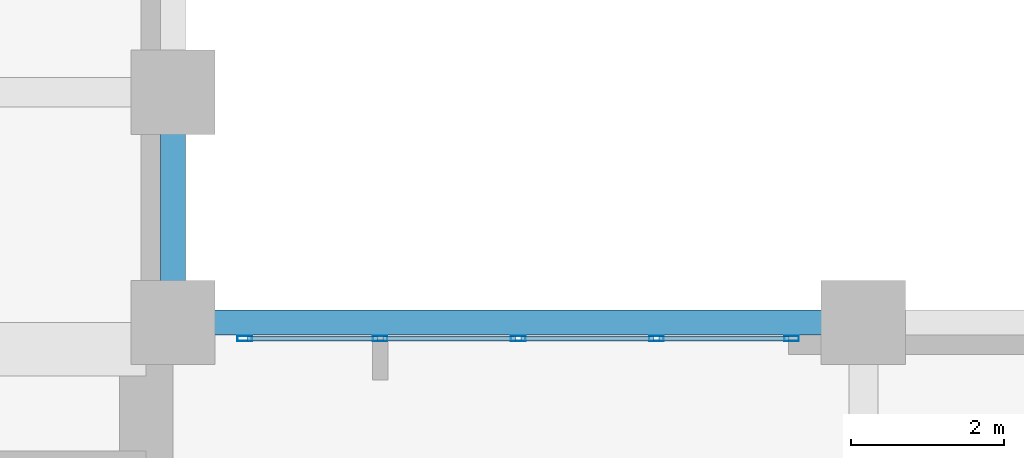
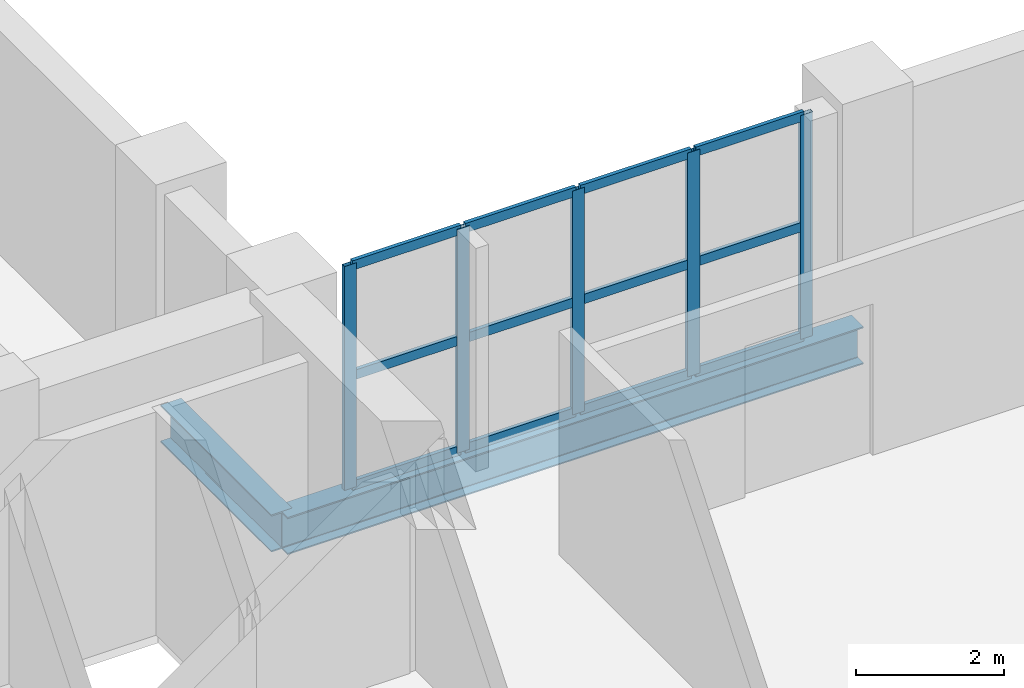
# One storey, part 2 of 8: 17 members, 2 beams, 1 element without a shape of its own.
"""IFC4 building model written with IfcOpenShell, lengths in metres."""

from ifc_helpers import new_model, si_unit, direction, frame, origin, origin_2d, place, context, subcontext, project, spatial, hollow_rectangle, i_section, extrude, material, layer, layer_set, material_profile, profile_set, type_object, element, aggregate, save


model = new_model("IFC4")

# Units and contexts
model_context = context("Model", 3, precision=1e-05, world=origin(), true_north=direction((0.0, 1.0)))
body_context = subcontext(model_context, "Body", "Model", "MODEL_VIEW")
ifc_project = project(units=[si_unit("LENGTHUNIT", "METRE"), si_unit("AREAUNIT", "SQUARE_METRE"), si_unit("VOLUMEUNIT", "CUBIC_METRE"), si_unit("PLANEANGLEUNIT", "RADIAN"), si_unit("MASSUNIT", "GRAM", prefix="KILO")], contexts=[model_context])

# Site, building, storey
site_placement = place(None, origin())
site = spatial("IfcSite", under=ifc_project, at=site_placement, CompositionType="ELEMENT")
building_placement = place(site_placement, origin())
building = spatial("IfcBuilding", under=site, at=building_placement, Name="Mawjdan Bourse Tower", CompositionType="ELEMENT")
storey_placement = place(building_placement, frame((0.0, 0.0, 101.10009765625)))
storey = spatial("IfcBuildingStorey", under=building, at=storey_placement, Name="L23", CompositionType="ELEMENT", Elevation=101.10009765625)

# Curtain wall, members
ifc_material_1 = material(Name="Thermally Broken Aluminium and Solar Glass", Category="aluminium")
ifc_layer = layer(ifc_material_1, 0.219970703125)
ifc_layer_set = layer_set([ifc_layer], Name="Thermally Broken Aluminium and Solar Glass")
curtain_wall_type = type_object("IfcCurtainWallType", Name="CW-ATR", PredefinedType="USERDEFINED", material=ifc_layer_set)
curtain_wall_placement = place(storey_placement, origin())
curtain_wall = element("IfcCurtainWall", 1, at=curtain_wall_placement, inside=storey, type_object=curtain_wall_type, Name="L23 Northeast Atrium Court Curtain Wall", ObjectType="ATRIUM GLAZED CURTAIN WALL", PredefinedType="USERDEFINED")
ifc_material_2 = material(Name="Thermally Broken Anodised Aluminium", Category="aluminium")
ifc_material_profile_1 = material_profile(ifc_material_2, hollow_rectangle(XDim=0.070068359375, YDim=0.18994140625, WallThickness=0.00439453125, at=origin_2d()), Name="ALU-MUL-190X70")
ifc_profile_set_1 = profile_set([ifc_material_profile_1], Name="Thermally Broken Anodised Aluminium")
member_type_1 = type_object("IfcMemberType", Name="MUL-ALU-MUL-190X70", PredefinedType="MULLION", material=ifc_profile_set_1)
member_1_placement = place(storey_placement, frame((32.06494140625, 20.7900390625, 0.0), z_axis=(0.0, 0.0, 1.0), x_axis=(0.0, -1.0, 0.0)))
member_1 = element("IfcMember", 2, at=member_1_placement, type_object=member_type_1, Name="CW-ATR-L23-ATR-NE mullion 1", PredefinedType="MULLION", context=body_context, shape_type="SweptSolid", body=[
    extrude(hollow_rectangle(XDim=0.070068359375, YDim=0.18994140625, WallThickness=0.00439453125, at=origin_2d()), origin(), (0.0, 0.0, 1.0), 3.699951171875),
])
member_2_placement = place(storey_placement, frame((30.300048828125, 20.7900390625, 0.0), z_axis=(0.0, 0.0, 1.0), x_axis=(0.0, -1.0, 0.0)))
member_2 = element("IfcMember", 3, at=member_2_placement, type_object=member_type_1, Name="CW-ATR-L23-ATR-NE mullion 2", PredefinedType="MULLION", context=body_context, shape_type="SweptSolid", body=[
    extrude(hollow_rectangle(XDim=0.070068359375, YDim=0.18994140625, WallThickness=0.00439453125, at=origin_2d()), origin(), (0.0, 0.0, 1.0), 3.699951171875),
])
member_3_placement = place(storey_placement, frame((28.5, 20.7900390625, 0.0), z_axis=(0.0, 0.0, 1.0), x_axis=(0.0, -1.0, 0.0)))
member_3 = element("IfcMember", 4, at=member_3_placement, type_object=member_type_1, Name="CW-ATR-L23-ATR-NE mullion 3", PredefinedType="MULLION", context=body_context, shape_type="SweptSolid", body=[
    extrude(hollow_rectangle(XDim=0.070068359375, YDim=0.18994140625, WallThickness=0.00439453125, at=origin_2d()), origin(), (0.0, 0.0, 1.0), 3.699951171875),
])
member_4_placement = place(storey_placement, frame((26.699951171875, 20.7900390625, 0.0), z_axis=(0.0, 0.0, 1.0), x_axis=(0.0, -1.0, 0.0)))
member_4 = element("IfcMember", 5, at=member_4_placement, type_object=member_type_1, Name="CW-ATR-L23-ATR-NE mullion 4", PredefinedType="MULLION", context=body_context, shape_type="SweptSolid", body=[
    extrude(hollow_rectangle(XDim=0.070068359375, YDim=0.18994140625, WallThickness=0.00439453125, at=origin_2d()), origin(), (0.0, 0.0, 1.0), 3.699951171875),
])
member_5_placement = place(storey_placement, frame((24.93505859375, 20.7900390625, 0.0), z_axis=(0.0, 0.0, 1.0), x_axis=(0.0, -1.0, 0.0)))
member_5 = element("IfcMember", 6, at=member_5_placement, type_object=member_type_1, Name="CW-ATR-L23-ATR-NE mullion 5", PredefinedType="MULLION", context=body_context, shape_type="SweptSolid", body=[
    extrude(hollow_rectangle(XDim=0.070068359375, YDim=0.18994140625, WallThickness=0.00439453125, at=origin_2d()), origin(), (0.0, 0.0, 1.0), 3.699951171875),
])

# Beams
ifc_material_3 = material(Name="Structural Steel S355", Category="steel")
ifc_material_profile_2 = material_profile(ifc_material_3, i_section(OverallWidth=0.324951171875, OverallDepth=0.616943359375, WebThickness=0.013916015625, FlangeThickness=0.021484375, FilletRadius=0.017333984375, at=origin_2d()), Name="W24X117")
ifc_profile_set_2 = profile_set([ifc_material_profile_2], Name="Structural Steel S355")
beam_type = type_object("IfcBeamType", Name="SPN-W24X117", PredefinedType="SPANDREL", material=ifc_profile_set_2)
beam_1_placement = place(storey_placement, frame((24.0, 21.0, -0.508544921875), z_axis=(1.0, 0.0, 0.0), x_axis=(0.0, 1.0, 0.0)))
element("IfcBeam", 7, at=beam_1_placement, inside=storey, type_object=beam_type, Name="L23 Perimeter Masonry-Shelf Spandrel 016", PredefinedType="SPANDREL", context=body_context, shape_type="SweptSolid", body=[
    extrude(i_section(OverallWidth=0.324951171875, OverallDepth=0.616943359375, WebThickness=0.013916015625, FlangeThickness=0.021484375, FilletRadius=0.017333984375, at=origin_2d()), origin(), (0.0, 0.0, 1.0), 9.0),
])
beam_2_placement = place(storey_placement, frame((24.0, 21.0, -0.508544921875), z_axis=(0.0, 1.0, 0.0), x_axis=(-1.0, 0.0, 0.0)))
element("IfcBeam", 8, at=beam_2_placement, inside=storey, type_object=beam_type, Name="L23 North Wing Spandrel 073", PredefinedType="SPANDREL", context=body_context, shape_type="SweptSolid", body=[
    extrude(i_section(OverallWidth=0.324951171875, OverallDepth=0.616943359375, WebThickness=0.013916015625, FlangeThickness=0.021484375, FilletRadius=0.017333984375, at=origin_2d()), origin(), (0.0, 0.0, 1.0), 3.0),
])

# Member
ifc_material_profile_3 = material_profile(ifc_material_2, hollow_rectangle(XDim=0.06005859375, YDim=0.155029296875, WallThickness=0.00390625, at=origin_2d()), Name="ALU-TRN-155X60")
ifc_profile_set_3 = profile_set([ifc_material_profile_3], Name="Thermally Broken Anodised Aluminium")
member_type_2 = type_object("IfcMemberType", Name="TRN-ALU-TRN-155X60", PredefinedType="USERDEFINED", material=ifc_profile_set_3)
member_6_placement = place(storey_placement, frame((32.030029296875, 20.7900390625, 0.02978515625), z_axis=(-1.0, 0.0, 0.0), x_axis=(0.0, -1.0, 0.0)))
member_6 = element("IfcMember", 9, at=member_6_placement, type_object=member_type_2, Name="CW-ATR-L23-ATR-NE transom 1.1", ObjectType="TRANSOM", PredefinedType="USERDEFINED", context=body_context, shape_type="SweptSolid", body=[
    extrude(hollow_rectangle(XDim=0.06005859375, YDim=0.155029296875, WallThickness=0.00390625, at=origin_2d()), origin(), (0.0, 0.0, 1.0), 1.695068359375),
])

member_7_placement = place(storey_placement, frame((32.030029296875, 20.7900390625, 1.849853515625), z_axis=(-1.0, 0.0, 0.0), x_axis=(0.0, -1.0, 0.0)))
member_7 = element("IfcMember", 10, at=member_7_placement, type_object=member_type_2, Name="CW-ATR-L23-ATR-NE transom 1.2", ObjectType="TRANSOM", PredefinedType="USERDEFINED", context=body_context, shape_type="SweptSolid", body=[
    extrude(hollow_rectangle(XDim=0.06005859375, YDim=0.155029296875, WallThickness=0.00390625, at=origin_2d()), origin(), (0.0, 0.0, 1.0), 1.695068359375),
])

member_8_placement = place(storey_placement, frame((32.030029296875, 20.7900390625, 3.669921875), z_axis=(-1.0, 0.0, 0.0), x_axis=(0.0, -1.0, 0.0)))
member_8 = element("IfcMember", 11, at=member_8_placement, type_object=member_type_2, Name="CW-ATR-L23-ATR-NE transom 1.3", ObjectType="TRANSOM", PredefinedType="USERDEFINED", context=body_context, shape_type="SweptSolid", body=[
    extrude(hollow_rectangle(XDim=0.06005859375, YDim=0.155029296875, WallThickness=0.00390625, at=origin_2d()), origin(), (0.0, 0.0, 1.0), 1.695068359375),
])

member_9_placement = place(storey_placement, frame((30.264892578125, 20.7900390625, 0.02978515625), z_axis=(-1.0, 0.0, 0.0), x_axis=(0.0, -1.0, 0.0)))
member_9 = element("IfcMember", 12, at=member_9_placement, type_object=member_type_2, Name="CW-ATR-L23-ATR-NE transom 2.1", ObjectType="TRANSOM", PredefinedType="USERDEFINED", context=body_context, shape_type="SweptSolid", body=[
    extrude(hollow_rectangle(XDim=0.06005859375, YDim=0.155029296875, WallThickness=0.00390625, at=origin_2d()), origin(), (0.0, 0.0, 1.0), 1.72998046875),
])

member_10_placement = place(storey_placement, frame((30.264892578125, 20.7900390625, 1.849853515625), z_axis=(-1.0, 0.0, 0.0), x_axis=(0.0, -1.0, 0.0)))
member_10 = element("IfcMember", 13, at=member_10_placement, type_object=member_type_2, Name="CW-ATR-L23-ATR-NE transom 2.2", ObjectType="TRANSOM", PredefinedType="USERDEFINED", context=body_context, shape_type="SweptSolid", body=[
    extrude(hollow_rectangle(XDim=0.06005859375, YDim=0.155029296875, WallThickness=0.00390625, at=origin_2d()), origin(), (0.0, 0.0, 1.0), 1.72998046875),
])

member_11_placement = place(storey_placement, frame((30.264892578125, 20.7900390625, 3.669921875), z_axis=(-1.0, 0.0, 0.0), x_axis=(0.0, -1.0, 0.0)))
member_11 = element("IfcMember", 14, at=member_11_placement, type_object=member_type_2, Name="CW-ATR-L23-ATR-NE transom 2.3", ObjectType="TRANSOM", PredefinedType="USERDEFINED", context=body_context, shape_type="SweptSolid", body=[
    extrude(hollow_rectangle(XDim=0.06005859375, YDim=0.155029296875, WallThickness=0.00390625, at=origin_2d()), origin(), (0.0, 0.0, 1.0), 1.72998046875),
])

member_12_placement = place(storey_placement, frame((28.465087890625, 20.7900390625, 0.02978515625), z_axis=(-1.0, 0.0, 0.0), x_axis=(0.0, -1.0, 0.0)))
member_12 = element("IfcMember", 15, at=member_12_placement, type_object=member_type_2, Name="CW-ATR-L23-ATR-NE transom 3.1", ObjectType="TRANSOM", PredefinedType="USERDEFINED", context=body_context, shape_type="SweptSolid", body=[
    extrude(hollow_rectangle(XDim=0.06005859375, YDim=0.155029296875, WallThickness=0.00390625, at=origin_2d()), origin(), (0.0, 0.0, 1.0), 1.72998046875),
])

member_13_placement = place(storey_placement, frame((28.465087890625, 20.7900390625, 1.849853515625), z_axis=(-1.0, 0.0, 0.0), x_axis=(0.0, -1.0, 0.0)))
member_13 = element("IfcMember", 16, at=member_13_placement, type_object=member_type_2, Name="CW-ATR-L23-ATR-NE transom 3.2", ObjectType="TRANSOM", PredefinedType="USERDEFINED", context=body_context, shape_type="SweptSolid", body=[
    extrude(hollow_rectangle(XDim=0.06005859375, YDim=0.155029296875, WallThickness=0.00390625, at=origin_2d()), origin(), (0.0, 0.0, 1.0), 1.72998046875),
])

member_14_placement = place(storey_placement, frame((28.465087890625, 20.7900390625, 3.669921875), z_axis=(-1.0, 0.0, 0.0), x_axis=(0.0, -1.0, 0.0)))
member_14 = element("IfcMember", 17, at=member_14_placement, type_object=member_type_2, Name="CW-ATR-L23-ATR-NE transom 3.3", ObjectType="TRANSOM", PredefinedType="USERDEFINED", context=body_context, shape_type="SweptSolid", body=[
    extrude(hollow_rectangle(XDim=0.06005859375, YDim=0.155029296875, WallThickness=0.00390625, at=origin_2d()), origin(), (0.0, 0.0, 1.0), 1.72998046875),
])

member_15_placement = place(storey_placement, frame((26.6650390625, 20.7900390625, 0.02978515625), z_axis=(-1.0, 0.0, 0.0), x_axis=(0.0, -1.0, 0.0)))
member_15 = element("IfcMember", 18, at=member_15_placement, type_object=member_type_2, Name="CW-ATR-L23-ATR-NE transom 4.1", ObjectType="TRANSOM", PredefinedType="USERDEFINED", context=body_context, shape_type="SweptSolid", body=[
    extrude(hollow_rectangle(XDim=0.06005859375, YDim=0.155029296875, WallThickness=0.00390625, at=origin_2d()), origin(), (0.0, 0.0, 1.0), 1.695068359375),
])

member_16_placement = place(storey_placement, frame((26.6650390625, 20.7900390625, 1.849853515625), z_axis=(-1.0, 0.0, 0.0), x_axis=(0.0, -1.0, 0.0)))
member_16 = element("IfcMember", 19, at=member_16_placement, type_object=member_type_2, Name="CW-ATR-L23-ATR-NE transom 4.2", ObjectType="TRANSOM", PredefinedType="USERDEFINED", context=body_context, shape_type="SweptSolid", body=[
    extrude(hollow_rectangle(XDim=0.06005859375, YDim=0.155029296875, WallThickness=0.00390625, at=origin_2d()), origin(), (0.0, 0.0, 1.0), 1.695068359375),
])

member_17_placement = place(storey_placement, frame((26.6650390625, 20.7900390625, 3.669921875), z_axis=(-1.0, 0.0, 0.0), x_axis=(0.0, -1.0, 0.0)))
member_17 = element("IfcMember", 20, at=member_17_placement, type_object=member_type_2, Name="CW-ATR-L23-ATR-NE transom 4.3", ObjectType="TRANSOM", PredefinedType="USERDEFINED", context=body_context, shape_type="SweptSolid", body=[
    extrude(hollow_rectangle(XDim=0.06005859375, YDim=0.155029296875, WallThickness=0.00390625, at=origin_2d()), origin(), (0.0, 0.0, 1.0), 1.695068359375),
])

aggregate(curtain_wall, [member_1, member_2, member_3, member_4, member_5, member_6, member_7, member_8, member_9, member_10, member_11, member_12, member_13, member_14, member_15, member_16, member_17])

save(model, "model.ifc")
